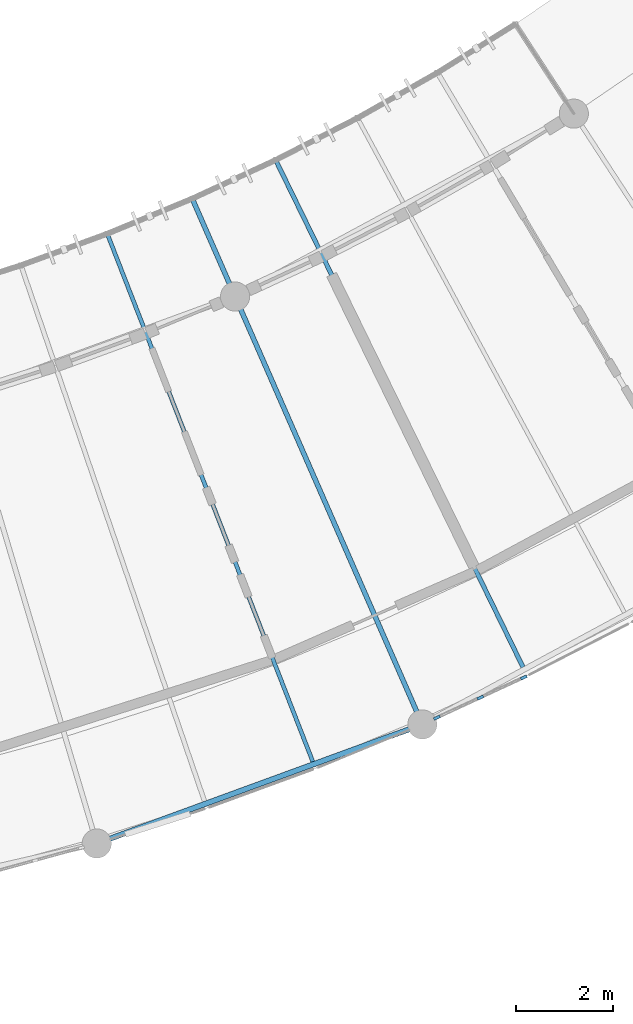
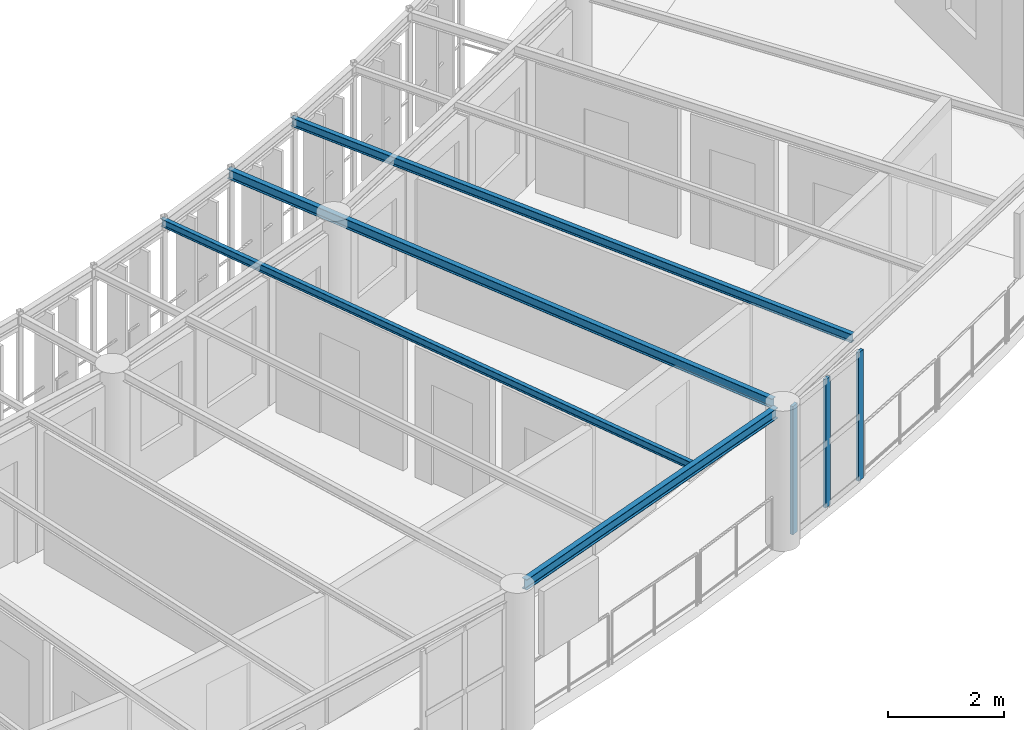
# One storey, part 18 of 100: 4 beams, 3 members, 1 element without a shape of its own.
"""IFC4 building model written with IfcOpenShell, lengths in metres."""

from ifc_helpers import new_model, si_unit, direction, frame, origin, origin_2d, place, context, subcontext, project, spatial, rectangle, i_section, extrude, material, layer, layer_set, material_profile, profile_set, type_object, element, aggregate, save


model = new_model("IFC4")

# Units and contexts
model_context = context("Model", 3, precision=1e-05, world=origin(), true_north=direction((0.0, 1.0)))
body_context = subcontext(model_context, "Body", "Model", "MODEL_VIEW")
ifc_project = project(units=[si_unit("LENGTHUNIT", "METRE"), si_unit("AREAUNIT", "SQUARE_METRE"), si_unit("VOLUMEUNIT", "CUBIC_METRE"), si_unit("PLANEANGLEUNIT", "RADIAN"), si_unit("MASSUNIT", "GRAM", prefix="KILO"), si_unit("POWERUNIT", "WATT"), si_unit("THERMODYNAMICTEMPERATUREUNIT", "KELVIN")], contexts=[model_context])

# Site, building, storey
site_placement = place(None, origin())
site = spatial("IfcSite", under=ifc_project, at=site_placement, CompositionType="ELEMENT")
building_placement = place(site_placement, origin())
building = spatial("IfcBuilding", under=site, at=building_placement, Name="Ruvembo Vaulted Housing Court", CompositionType="ELEMENT")
storey_placement = place(building_placement, frame((0.0, 0.0, 14.10009765625)))
storey = spatial("IfcBuildingStorey", under=building, at=storey_placement, Name="L04", CompositionType="ELEMENT", Elevation=14.10009765625)

# Beams
ifc_material_1 = material(Name="Steel S355J2", Category="steel")
ifc_material_profile_1 = material_profile(ifc_material_1, i_section(OverallWidth=0.08203125, OverallDepth=0.159912109375, WebThickness=0.0048828125, FlangeThickness=0.00732421875, FilletRadius=0.009033203125, at=origin_2d()), Name="IPE 160")
ifc_profile_set_1 = profile_set([ifc_material_profile_1], Name="Steel S355J2")
beam_type_1 = type_object("IfcBeamType", Name="BM-ST-IPE160", PredefinedType="JOIST", material=ifc_profile_set_1)
beam_1_placement = place(storey_placement, frame((89.843994140625, 8.462646484375, 2.85986328125), z_axis=(-0.362810002235, 0.93186313495, 0.0), x_axis=(-0.93186313495, -0.362810002235, 0.0)))
element("IfcBeam", 1, at=beam_1_placement, inside=storey, type_object=beam_type_1, Name="Scoop SC2 L04 Radial Steel Joist 23", PredefinedType="JOIST", context=body_context, shape_type="SweptSolid", body=[
    extrude(i_section(OverallWidth=0.08203125, OverallDepth=0.159912109375, WebThickness=0.0048828125, FlangeThickness=0.00732421875, FilletRadius=0.009033203125, at=origin_2d()), origin(), (0.0, 0.0, 1.0), 11.69189453125),
])
ifc_material_profile_2 = material_profile(ifc_material_1, i_section(OverallWidth=0.091064453125, OverallDepth=0.179931640625, WebThickness=0.00537109375, FlangeThickness=0.008056640625, FilletRadius=0.009033203125, at=origin_2d()), Name="IPE 180")
ifc_profile_set_2 = profile_set([ifc_material_profile_2], Name="Steel S355J2")
beam_type_2 = type_object("IfcBeamType", Name="BM-ST-IPE180", PredefinedType="JOIST", material=ifc_profile_set_2)
beam_2_placement = place(storey_placement, frame((94.163818359375, 10.406494140625, 2.849853515625), z_axis=(-0.438376534448, 0.898791418542, 0.0), x_axis=(-0.898791418542, -0.438376534448, 0.0)))
element("IfcBeam", 2, at=beam_2_placement, inside=storey, type_object=beam_type_2, Name="Scoop SC2 L04 Radial Steel Joist 25", PredefinedType="JOIST", context=body_context, shape_type="SweptSolid", body=[
    extrude(i_section(OverallWidth=0.091064453125, OverallDepth=0.179931640625, WebThickness=0.00537109375, FlangeThickness=0.008056640625, FilletRadius=0.009033203125, at=origin_2d()), origin(), (0.0, 0.0, 1.0), 11.64306640625),
])
ifc_material_profile_3 = material_profile(ifc_material_1, i_section(OverallWidth=0.10009765625, OverallDepth=0.199951171875, WebThickness=0.005615234375, FlangeThickness=0.008544921875, FilletRadius=0.011962890625, at=origin_2d()), Name="IPE 200")
ifc_profile_set_3 = profile_set([ifc_material_profile_3], Name="Steel S355J2")
beam_type_3 = type_object("IfcBeamType", Name="BM-ST-IPE200", PredefinedType="BEAM", material=ifc_profile_set_3)
beam_3_placement = place(storey_placement, frame((92.017333984375, 9.40625, 2.83984375), z_axis=(-0.400918873169, 0.916113561267, 0.0), x_axis=(-0.916113561267, -0.400918873169, 0.0)))
element("IfcBeam", 3, at=beam_3_placement, inside=storey, type_object=beam_type_3, Name="Scoop SC2 L04 Radial Steel Joist 24", PredefinedType="BEAM", context=body_context, shape_type="SweptSolid", body=[
    extrude(i_section(OverallWidth=0.10009765625, OverallDepth=0.199951171875, WebThickness=0.005615234375, FlangeThickness=0.008544921875, FilletRadius=0.011962890625, at=origin_2d()), origin(), (0.0, 0.0, 1.0), 11.64990234375),
])
ifc_material_profile_4 = material_profile(ifc_material_1, i_section(OverallWidth=0.110107421875, OverallDepth=0.219970703125, WebThickness=0.005859375, FlangeThickness=0.00927734375, FilletRadius=0.011962890625, at=origin_2d()), Name="IPE 220")
ifc_profile_set_4 = profile_set([ifc_material_profile_4], Name="Steel S355J2")
beam_type_4 = type_object("IfcBeamType", Name="BM-ST-IPE220", PredefinedType="SPANDREL", material=ifc_profile_set_4)
beam_4_placement = place(storey_placement, frame((85.58154296875, 6.850341796875, 2.831787109375), z_axis=(0.939150198964, 0.343506774003, 0.0), x_axis=(-0.343506774003, 0.939150198964, 0.0)))
element("IfcBeam", 4, at=beam_4_placement, inside=storey, type_object=beam_type_4, Name="Scoop SC2 L04 Chord Girder B21", PredefinedType="SPANDREL", context=body_context, shape_type="SweptSolid", body=[
    extrude(i_section(OverallWidth=0.110107421875, OverallDepth=0.219970703125, WebThickness=0.005859375, FlangeThickness=0.00927734375, FilletRadius=0.011962890625, at=origin_2d()), origin(), (0.0, 0.0, 1.0), 6.744140625),
])

# Curtain wall, members
ifc_material_2 = material(Name="Anodised Aluminium and Solar-Control Glass", Category="aluminium")
ifc_layer = layer(ifc_material_2, 0.139892578125, Name="Anodised Aluminium and Solar-Control Glass")
ifc_layer_set = layer_set([ifc_layer], Name="Anodised Aluminium and Solar-Control Glass")
curtain_wall_type = type_object("IfcCurtainWallType", Name="CW-SCOOP-PAN", PredefinedType="NOTDEFINED", material=ifc_layer_set)
curtain_wall_placement = place(storey_placement, origin())
curtain_wall = element("IfcCurtainWall", 5, at=curtain_wall_placement, inside=storey, type_object=curtain_wall_type, Name="L04 Curtain Wall CW-L04-0052", PredefinedType="NOTDEFINED")
ifc_material_3 = material(Name="Anodised Aluminium 6063-T6", Category="aluminium")
ifc_material_profile_5 = material_profile(ifc_material_3, rectangle(XDim=0.06005859375, YDim=0.139892578125, at=origin_2d()), Name="ALU 60x140")
ifc_profile_set_5 = profile_set([ifc_material_profile_5], Name="Anodised Aluminium 6063-T6")
member_type = type_object("IfcMemberType", Name="CW-MUL-60x140", PredefinedType="MULLION", material=ifc_profile_set_5)
member_1_placement = place(storey_placement, frame((92.39306640625, 9.37060546875, 0.0), z_axis=(0.0, 0.0, 1.0), x_axis=(-0.419740403325, 0.907644200013, 0.0)))
member_1 = element("IfcMember", 6, at=member_1_placement, type_object=member_type, Name="CW10 mullion 1", PredefinedType="MULLION", context=body_context, shape_type="SweptSolid", body=[
    extrude(rectangle(XDim=0.06005859375, YDim=0.139892578125, at=origin_2d()), origin(), (0.0, 0.0, 1.0), 2.697998046875),
])
member_2_placement = place(storey_placement, frame((93.285400390625, 9.783203125, 0.0), z_axis=(0.0, 0.0, 1.0), x_axis=(-0.419740403325, 0.907644200013, 0.0)))
member_2 = element("IfcMember", 7, at=member_2_placement, type_object=member_type, Name="CW10 mullion 2", PredefinedType="MULLION", context=body_context, shape_type="SweptSolid", body=[
    extrude(rectangle(XDim=0.06005859375, YDim=0.139892578125, at=origin_2d()), origin(), (0.0, 0.0, 1.0), 2.697998046875),
])
member_3_placement = place(storey_placement, frame((94.177490234375, 10.19580078125, 0.0), z_axis=(0.0, 0.0, 1.0), x_axis=(-0.419740403325, 0.907644200013, 0.0)))
member_3 = element("IfcMember", 8, at=member_3_placement, type_object=member_type, Name="CW10 mullion 3", PredefinedType="MULLION", context=body_context, shape_type="SweptSolid", body=[
    extrude(rectangle(XDim=0.06005859375, YDim=0.139892578125, at=origin_2d()), origin(), (0.0, 0.0, 1.0), 2.697998046875),
])
aggregate(curtain_wall, [member_1, member_2, member_3])

save(model, "model.ifc")
